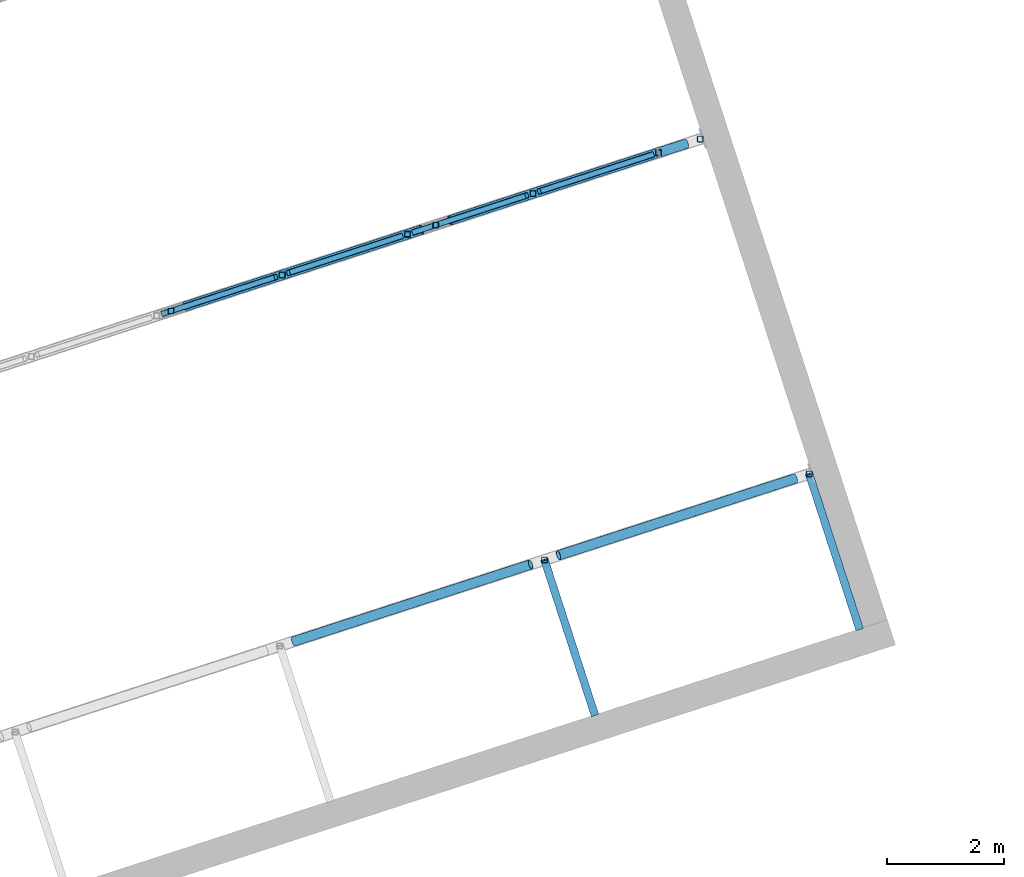
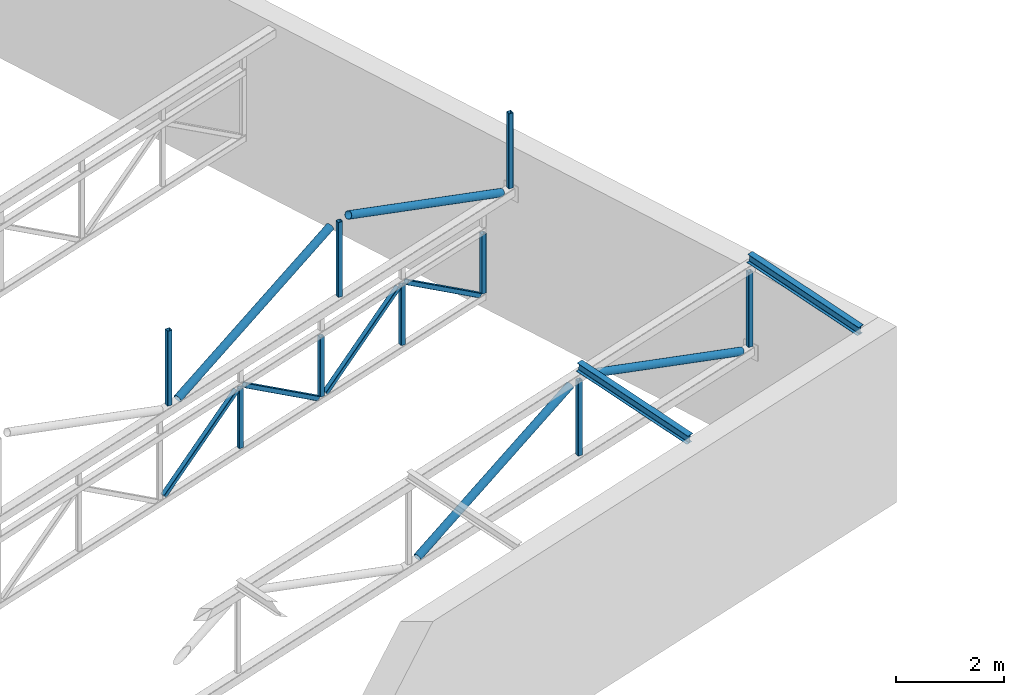
# One storey, part 18 of 81: 19 members.
"""IFC4 building model written with IfcOpenShell, lengths in metres."""

import ifcopenshell
import ifcopenshell.guid

model = None  # the IFC model being written
_history = None  # IfcOwnerHistory: only IFC2X3 demands one
_inside = {}  # id of a spatial element -> (the spatial element, [elements in it])
_under = {}  # id of a project, library or spatial element -> (it, [spatial elements below it])
_declared = {}  # id of a project -> (the project, [libraries it declares])
_typed = {}  # id of a type object -> (the type object, [elements of that type])
_made_of = {}  # id of a material, layer set ... -> (it, [elements and type objects made of it])


def new_model(schema):
    """Start an empty IFC model of exactly this schema.

    Asked for "IFC4X3", IfcOpenShell would pick the latest addendum, in which some entities
    have other attributes; the version numbers below select the first issue.
    IFC2X3 requires an IfcOwnerHistory on every rooted entity: one is made here for all.
    """
    global model, _history
    if schema == "IFC4X3":
        model = ifcopenshell.file(schema_version=(4, 3, 0, 0))
    else:
        model = ifcopenshell.file(schema=schema)
    _inside.clear()
    _under.clear()
    _declared.clear()
    _typed.clear()
    _made_of.clear()
    _history = None
    if model.schema == "IFC2X3":
        org = make("IfcOrganization", Name="unknown")
        user = make(
            "IfcPersonAndOrganization",
            ThePerson=make("IfcPerson", FamilyName="unknown"),
            TheOrganization=org,
        )
        app = make(
            "IfcApplication",
            ApplicationDeveloper=org,
            Version="unknown",
            ApplicationFullName="unknown",
            ApplicationIdentifier="unknown",
        )
        _history = make(
            "IfcOwnerHistory",
            OwningUser=user,
            OwningApplication=app,
            ChangeAction="ADDED",
            CreationDate=0,
        )
    return model


def make(cls, **values):
    """One entity of the class cls with the attributes given. An attribute that is None is left unset."""
    return model.create_entity(
        cls, **{name: value for name, value in values.items() if value is not None}
    )


def rooted(cls, **values):
    """An entity with a GlobalId (a new one), such as an element, a storey or a relation."""
    return make(cls, GlobalId=ifcopenshell.guid.new(), OwnerHistory=_history, **values)


def si_unit(unit_type, name, prefix=None):
    """IfcSIUnit, for example si_unit("LENGTHUNIT", "METRE", prefix="MILLI")."""
    return make("IfcSIUnit", UnitType=unit_type, Prefix=prefix, Name=name)


def assignment(units):
    """IfcUnitAssignment: the units of a project."""
    return None if units is None else make("IfcUnitAssignment", Units=units)


def point(xyz):
    """IfcCartesianPoint."""
    return None if xyz is None else make("IfcCartesianPoint", Coordinates=xyz)


def direction(xyz):
    """IfcDirection."""
    return None if xyz is None else make("IfcDirection", DirectionRatios=xyz)


def frame(location, z_axis=None, x_axis=None):
    """IfcAxis2Placement3D, a coordinate frame: its origin and axes. An axis left out is left unset."""
    return make(
        "IfcAxis2Placement3D",
        Location=point(location),
        Axis=direction(z_axis),
        RefDirection=direction(x_axis),
    )


def frame_2d(location, x_axis=None):
    """IfcAxis2Placement2D, a coordinate frame in the plane: its origin and x axis."""
    return make(
        "IfcAxis2Placement2D", Location=point(location), RefDirection=direction(x_axis)
    )


def origin():
    """The frame at (0, 0, 0) with its axes left unset."""
    return frame((0.0, 0.0, 0.0))


def origin_2d():
    """The frame at (0, 0) in the plane with its x axis left unset."""
    return frame_2d((0.0, 0.0))


def place(relative_to, where):
    """IfcLocalPlacement: puts the frame where relative to a parent placement (None: the world)."""
    return make(
        "IfcLocalPlacement", PlacementRelTo=relative_to, RelativePlacement=where
    )


def context(
    kind, dimensions, precision=None, world=None, true_north=None, identifier=None
):
    """IfcGeometricRepresentationContext, for example the 3D "Model" context."""
    return make(
        "IfcGeometricRepresentationContext",
        ContextIdentifier=identifier,
        ContextType=kind,
        CoordinateSpaceDimension=dimensions,
        Precision=precision,
        WorldCoordinateSystem=world,
        TrueNorth=true_north,
    )


def subcontext(parent, identifier, kind, view, scale=None):
    """IfcGeometricRepresentationSubContext, for example "Body" below "Model"."""
    return make(
        "IfcGeometricRepresentationSubContext",
        ContextIdentifier=identifier,
        ContextType=kind,
        ParentContext=parent,
        TargetScale=scale,
        TargetView=view,
    )


def project(units=None, contexts=None):
    """IfcProject with its units and contexts."""
    return rooted(
        "IfcProject",
        Name="project",
        RepresentationContexts=contexts,
        UnitsInContext=assignment(units),
    )


def spatial(cls, under=None, at=None, **own):
    """A site, building, storey or space (cls), placed at a placement, below another one or the project."""
    s = rooted(cls, ObjectPlacement=at, **own)
    if under is not None:
        _under.setdefault(under.id(), (under, []))[1].append(s)
    return s


def profile(cls, at=None, kind="AREA", **sizes):
    """A parametric profile (cls). Its sizes go by their IFC names, for example OverallWidth=200.0."""
    return make(cls, ProfileType=kind, Position=at, **sizes)


def hollow_rectangle(**sizes):
    """IfcRectangleHollowProfileDef."""
    return profile("IfcRectangleHollowProfileDef", **sizes)


def hollow_circle(**sizes):
    """IfcCircleHollowProfileDef."""
    return profile("IfcCircleHollowProfileDef", **sizes)


def i_section(**sizes):
    """IfcIShapeProfileDef."""
    return profile("IfcIShapeProfileDef", **sizes)


def extrude(swept, where, along, depth):
    """IfcExtrudedAreaSolid: the profile swept, set in the frame where, extruded along a direction by depth."""
    return make(
        "IfcExtrudedAreaSolid",
        SweptArea=swept,
        Position=where,
        ExtrudedDirection=direction(along),
        Depth=depth,
    )


def shape(context_of_items, identifier, shape_type, items):
    """IfcShapeRepresentation: the items that make up one representation, for example the "Body"."""
    return make(
        "IfcShapeRepresentation",
        ContextOfItems=context_of_items,
        RepresentationIdentifier=identifier,
        RepresentationType=shape_type,
        Items=items,
    )


def material(Name=None, Category=None):
    """IfcMaterial."""
    return make("IfcMaterial", Name=Name, Category=Category)


def material_profile(
    of_material, cross_section, Name=None, Category=None, Priority=None
):
    """IfcMaterialProfile: a cross section and its material."""
    return make(
        "IfcMaterialProfile",
        Name=Name,
        Material=of_material,
        Profile=cross_section,
        Priority=Priority,
        Category=Category,
    )


def profile_set(profiles, Name=None, composite=None):
    """IfcMaterialProfileSet."""
    return make(
        "IfcMaterialProfileSet",
        Name=Name,
        MaterialProfiles=profiles,
        CompositeProfile=composite,
    )


def made_of(thing, what):
    """Note that an element or type object is made of a material, layer set ...; save() writes the relation."""
    if what is not None:
        _made_of.setdefault(what.id(), (what, []))[1].append(thing)
    return thing


def type_object(cls, material=None, **own):
    """A type object (cls), such as IfcWallType, which elements share."""
    return made_of(rooted(cls, **own), material)


def element(
    cls,
    number,
    at=None,
    inside=None,
    cuts=None,
    type_object=None,
    material=None,
    context=None,
    identifier="Body",
    shape_type=None,
    held_by="IfcProductDefinitionShape",
    body=None,
    shapes=None,
    **own,
):
    """One element of the class cls, such as IfcWall. Its Tag is "e" and its number.

    at: its placement. inside: the storey or other place that contains it. cuts: it is an
    opening in that element (IfcRelVoidsElement). A single representation is given by context,
    identifier, shape_type and body (its items); several are given by shapes. held_by: the class
    of the entity that holds the representations. save() writes the other relations.
    """
    e = rooted(cls, Tag="e%d" % number, ObjectPlacement=at, **own)
    if body is not None:
        shapes = [shape(context, identifier, shape_type, body)]
    if shapes is not None:
        e.Representation = make(held_by, Representations=shapes)
    if inside is not None:
        _inside.setdefault(inside.id(), (inside, []))[1].append(e)
    if cuts is not None:
        rooted(
            "IfcRelVoidsElement", RelatingBuildingElement=cuts, RelatedOpeningElement=e
        )
    if type_object is not None:
        _typed.setdefault(type_object.id(), (type_object, []))[1].append(e)
    return made_of(e, material)


def aggregate(whole, parts):
    """IfcRelAggregates: a whole, such as a stair, and the parts it consists of."""
    return rooted("IfcRelAggregates", RelatingObject=whole, RelatedObjects=parts)


def save(model, path):
    """Write the relations noted so far, then the file.

    IfcRelAggregates (storeys below a building ...), IfcRelContainedInSpatialStructure (elements
    in a storey), IfcRelDefinesByType, IfcRelAssociatesMaterial and IfcRelDeclares: one each for
    every whole, place, type object, material and project.
    """
    for whole, parts in _under.values():
        aggregate(whole, parts)
    for where, things in _inside.values():
        rooted(
            "IfcRelContainedInSpatialStructure",
            RelatedElements=things,
            RelatingStructure=where,
        )
    for kind, things in _typed.values():
        rooted("IfcRelDefinesByType", RelatedObjects=things, RelatingType=kind)
    for what, things in _made_of.values():
        rooted("IfcRelAssociatesMaterial", RelatedObjects=things, RelatingMaterial=what)
    for by, libraries in _declared.values():
        rooted("IfcRelDeclares", RelatingContext=by, RelatedDefinitions=libraries)
    model.write(path)


model = new_model("IFC4")

# Units and contexts
model_context = context("Model", 3, precision=1e-05, world=origin(), true_north=direction((0.0, 1.0)))
body_context = subcontext(model_context, "Body", "Model", "MODEL_VIEW")
ifc_project = project(units=[si_unit("LENGTHUNIT", "METRE"), si_unit("AREAUNIT", "SQUARE_METRE"), si_unit("VOLUMEUNIT", "CUBIC_METRE"), si_unit("PLANEANGLEUNIT", "RADIAN"), si_unit("MASSUNIT", "GRAM", prefix="KILO")], contexts=[model_context])

# Site, building, storey
site_placement = place(None, origin())
site = spatial("IfcSite", under=ifc_project, at=site_placement, CompositionType="ELEMENT")
building_placement = place(site_placement, origin())
building = spatial("IfcBuilding", under=site, at=building_placement, Name="Tuart Plaza Theatre", CompositionType="ELEMENT")
storey_placement = place(building_placement, frame((0.0, 0.0, 17.5)))
storey = spatial("IfcBuildingStorey", under=building, at=storey_placement, Name="L04", CompositionType="ELEMENT", Elevation=17.5)

# Members
ifc_material_1 = material(Name="Steel Grade C350L0", Category="steel")
ifc_material_profile_1 = material_profile(ifc_material_1, hollow_rectangle(XDim=0.10009765625, YDim=0.10009765625, WallThickness=0.006103515625, InnerFilletRadius=0.006103515625, OuterFilletRadius=0.011962890625, at=origin_2d()), Name="100x100x6 SHS")
ifc_profile_set_1 = profile_set([ifc_material_profile_1], Name="Steel Grade C350L0")
member_type_1 = type_object("IfcMemberType", Name="MEMBER Brace 100x100x6 SHS", PredefinedType="BRACE", material=ifc_profile_set_1)
for number, where, z_axis, x_axis, name in (
    (1, (65.3798828125, 56.46044921875, 1.099365234375), (0.791072972357, 0.257066093415, 0.555086097847), (-0.309050599318, 0.951045596731, 0.0), "BR115"),
    (2, (67.517822265625, 57.155029296875, 2.449462890625), (0.791072972357, 0.257066093415, -0.555086097847), (-0.309050599318, 0.951045596731, 0.0), "BR116"),
    (3, (69.65576171875, 57.849609375, 1.099365234375), (0.791072972357, 0.257066093415, 0.555086097847), (-0.309050599318, 0.951045596731, 0.0), "BR117"),
    (4, (71.793701171875, 58.54443359375, 2.449462890625), (0.791093381678, 0.256972345781, -0.555100418815), (-0.308941443477, 0.951081060953, 0.0), "BR118"),
):
    element("IfcMember", number, at=place(storey_placement, frame(where, z_axis=z_axis, x_axis=x_axis)), inside=storey, type_object=member_type_1, Name=name, PredefinedType="BRACE", context=body_context, shape_type="SweptSolid", body=[
        extrude(hollow_rectangle(XDim=0.10009765625, YDim=0.10009765625, WallThickness=0.006103515625, InnerFilletRadius=0.006103515625, OuterFilletRadius=0.011962890625, at=origin_2d()), origin(), (0.0, 0.0, 1.0), 2.43212890625),
    ])
ifc_material_2 = material(Name="Steel Grade C350L0", Category="steel")
ifc_material_profile_2 = material_profile(ifc_material_2, hollow_circle(Radius=0.084228515625, WallThickness=0.00634765625, at=origin_2d()), Name="168.3x6.4 CHS")
ifc_profile_set_2 = profile_set([ifc_material_profile_2], Name="Steel Grade C350L0")
member_type_2 = type_object("IfcMemberType", Name="MEMBER Brace 168.3x6.4 CHS", PredefinedType="BRACE", material=ifc_profile_set_2)
for number, where, z_axis, x_axis, name in (
    (5, (67.610107421875, 50.876220703125, 2.307373046875), (0.882822840615, 0.286849316519, 0.371942605385), (-0.309019710385, 0.951055633806, 0.0), "BR5"),
    (6, (72.119873046875, 52.341552734375, 4.00732421875), (0.882822840615, 0.286849316519, -0.371942605385), (-0.309019710385, 0.951055633806, 0.0), "BR6"),
    (7, (65.756103515625, 56.58251953125, 3.099365234375), (0.882805299901, 0.28684361714, 0.371988631241), (-0.309019710385, 0.951055633806, 0.0), "BR11"),
    (8, (70.265625, 58.0478515625, 4.799560546875), (0.882805299901, 0.28684361714, -0.371988631241), (-0.309019710385, 0.951055633806, 0.0), "BR12"),
):
    element("IfcMember", number, at=place(storey_placement, frame(where, z_axis=z_axis, x_axis=x_axis)), inside=storey, type_object=member_type_2, Name=name, PredefinedType="BRACE", context=body_context, shape_type="SweptSolid", body=[
        extrude(hollow_circle(Radius=0.084228515625, WallThickness=0.00634765625, at=origin_2d()), origin(), (0.0, 0.0, 1.0), 4.570556640625),
    ])
ifc_material_3 = material(Name="Steel Grade C350L0", Category="steel")
ifc_material_profile_3 = material_profile(ifc_material_3, hollow_rectangle(XDim=0.10009765625, YDim=0.10009765625, WallThickness=0.006103515625, InnerFilletRadius=0.006103515625, OuterFilletRadius=0.011962890625, at=origin_2d()), Name="100x100x6 SHS")
ifc_profile_set_3 = profile_set([ifc_material_profile_3], Name="Steel Grade C350L0")
member_type_3 = type_object("IfcMemberType", Name="MEMBER Post 100x100x6 SHS", PredefinedType="POST", material=ifc_profile_set_3)
for number, where, z_axis, x_axis, name in (
    (9, (71.882568359375, 52.264404296875, 2.307373046875), (0.0, 0.0, 1.0), (1.0, 0.0, 0.0), "PO6"),
    (10, (76.39208984375, 53.729736328125, 2.307373046875), (0.0, 0.0, 1.0), (1.0, 0.0, 0.0), "PO7"),
):
    element("IfcMember", number, at=place(storey_placement, frame(where, z_axis=z_axis, x_axis=x_axis)), inside=storey, type_object=member_type_3, Name=name, PredefinedType="POST", context=body_context, shape_type="SweptSolid", body=[
        extrude(hollow_rectangle(XDim=0.10009765625, YDim=0.10009765625, WallThickness=0.006103515625, InnerFilletRadius=0.006103515625, OuterFilletRadius=0.011962890625, at=origin_2d()), origin(), (0.0, 0.0, 1.0), 1.699951171875),
    ])
for number, where, z_axis, x_axis, name in (
    (11, (65.518798828125, 56.505615234375, 3.099365234375), (0.0, 0.0, 1.0), (1.0, 0.0, 0.0), "PO12"),
    (12, (70.0283203125, 57.970703125, 3.099365234375), (0.0, 0.0, 1.0), (1.0, 0.0, 0.0), "PO13"),
    (13, (74.537841796875, 59.43603515625, 3.099365234375), (0.0, 0.0, 1.0), (1.0, 0.0, 0.0), "PO14"),
):
    element("IfcMember", number, at=place(storey_placement, frame(where, z_axis=z_axis, x_axis=x_axis)), inside=storey, type_object=member_type_3, Name=name, PredefinedType="POST", context=body_context, shape_type="SweptSolid", body=[
        extrude(hollow_rectangle(XDim=0.10009765625, YDim=0.10009765625, WallThickness=0.006103515625, InnerFilletRadius=0.006103515625, OuterFilletRadius=0.011962890625, at=origin_2d()), origin(), (0.0, 0.0, 1.0), 1.7001953125),
    ])
for number, where, z_axis, x_axis, name in (
    (14, (67.410888671875, 57.120361328125, 1.099365234375), (0.0, 0.0, 1.0), (1.0, 0.0, 0.0), "PO118"),
    (15, (69.548828125, 57.81494140625, 1.099365234375), (0.0, 0.0, 1.0), (1.0, 0.0, 0.0), "PO119"),
    (16, (71.686767578125, 58.509521484375, 1.099365234375), (0.0, 0.0, 1.0), (1.0, 0.0, 0.0), "PO120"),
    (17, (73.82470703125, 59.204345703125, 1.099365234375), (0.0, 0.0, 1.0), (1.0, 0.0, 0.0), "PO121"),
):
    element("IfcMember", number, at=place(storey_placement, frame(where, z_axis=z_axis, x_axis=x_axis)), inside=storey, type_object=member_type_3, Name=name, PredefinedType="POST", context=body_context, shape_type="SweptSolid", body=[
        extrude(hollow_rectangle(XDim=0.10009765625, YDim=0.10009765625, WallThickness=0.006103515625, InnerFilletRadius=0.006103515625, OuterFilletRadius=0.011962890625, at=origin_2d()), origin(), (0.0, 0.0, 1.0), 1.35009765625),
    ])
ifc_material_4 = material(Name="Steel Grade 300", Category="steel")
ifc_material_profile_4 = material_profile(ifc_material_4, i_section(OverallWidth=0.133056640625, OverallDepth=0.202880859375, WebThickness=0.005859375, FlangeThickness=0.0078125, FilletRadius=0.0087890625, at=origin_2d()), Name="200UB25.4")
ifc_profile_set_4 = profile_set([ifc_material_profile_4], Name="Steel Grade 300")
member_type_4 = type_object("IfcMemberType", Name="MEMBER Purlin 200UB25.4", PredefinedType="PURLIN", material=ifc_profile_set_4)
for number, where, z_axis, x_axis, name in (
    (18, (72.739990234375, 49.625244140625, 3.95654296875), (-0.306327065915, 0.942880291158, 0.130921675951), (-0.951066390921, -0.30898660175, 0.0), "PU31"),
    (19, (77.24951171875, 51.090576171875, 3.95654296875), (-0.306327065915, 0.942880291158, 0.130921675951), (-0.951066390921, -0.30898660175, 0.0), "PU37"),
):
    element("IfcMember", number, at=place(storey_placement, frame(where, z_axis=z_axis, x_axis=x_axis)), inside=storey, type_object=member_type_4, Name=name, PredefinedType="PURLIN", context=body_context, shape_type="SweptSolid", body=[
        extrude(i_section(OverallWidth=0.133056640625, OverallDepth=0.202880859375, WebThickness=0.005859375, FlangeThickness=0.0078125, FilletRadius=0.0087890625, at=origin_2d()), origin(), (0.0, 0.0, 1.0), 2.799072265625),
    ])

save(model, "model.ifc")
